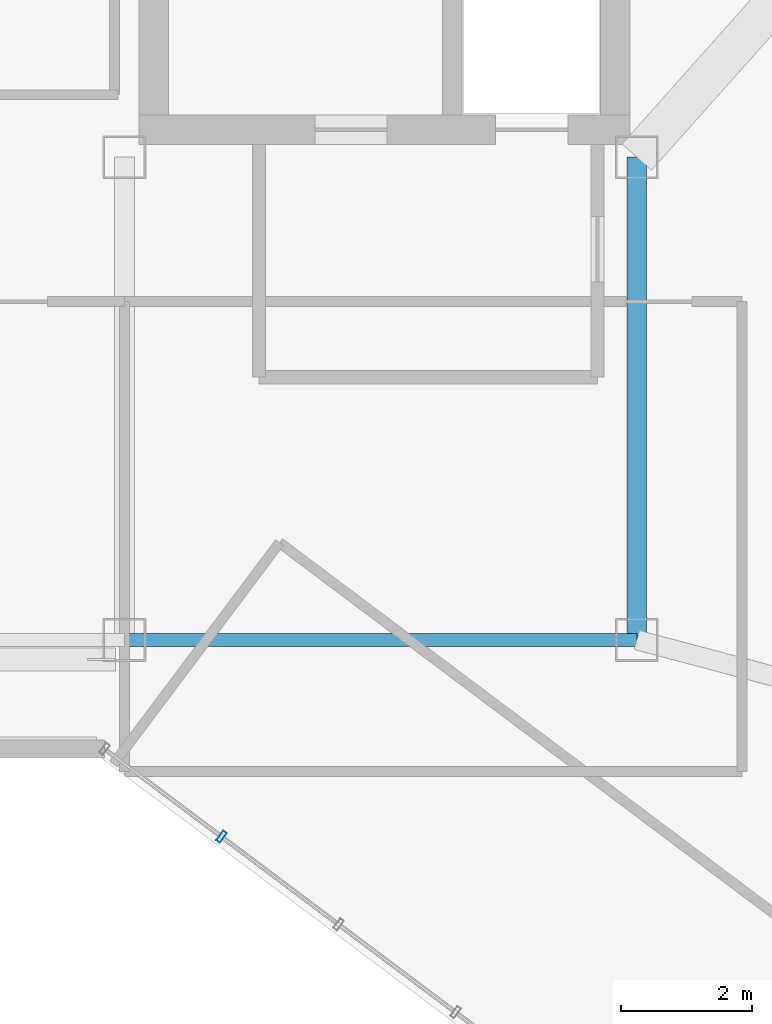
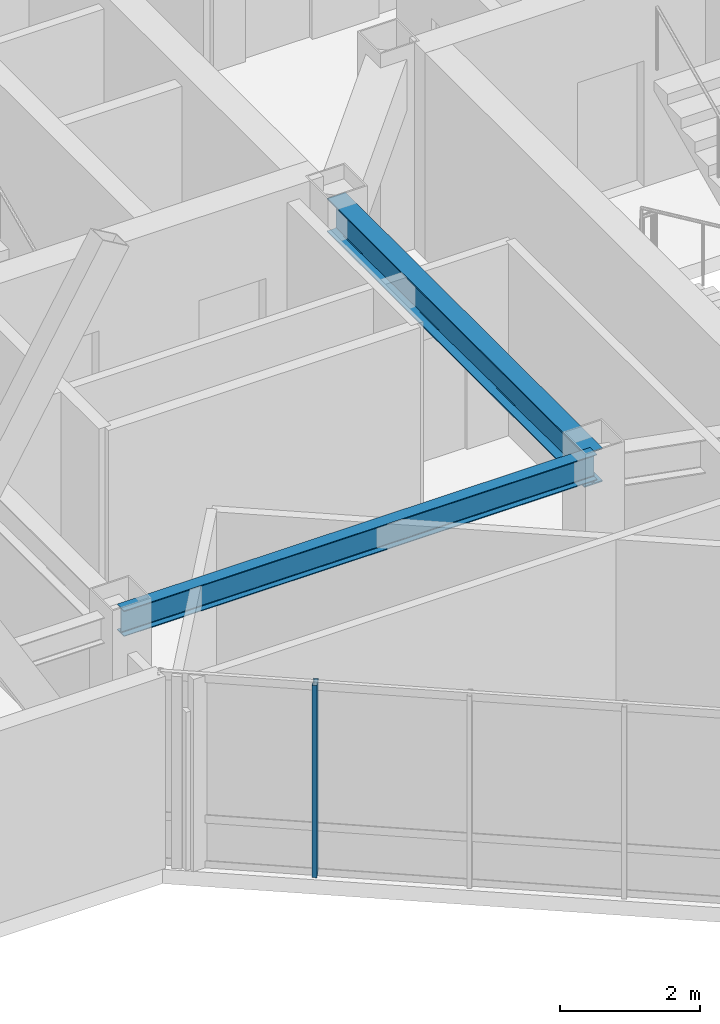
# One storey, part 4 of 22: 2 beams, 1 member, 1 element without a shape of its own.
"""IFC4 building model written with IfcOpenShell, lengths in metres."""

from ifc_helpers import new_model, si_unit, direction, frame, origin, origin_2d, place, context, subcontext, project, spatial, hollow_rectangle, i_section, extrude, material, layer, layer_set, material_profile, profile_set, type_object, element, aggregate, save


model = new_model("IFC4")

# Units and contexts
model_context = context("Model", 3, precision=1e-05, world=origin(), true_north=direction((0.0, 1.0)))
body_context = subcontext(model_context, "Body", "Model", "MODEL_VIEW")
ifc_project = project(units=[si_unit("LENGTHUNIT", "METRE"), si_unit("AREAUNIT", "SQUARE_METRE"), si_unit("VOLUMEUNIT", "CUBIC_METRE"), si_unit("PLANEANGLEUNIT", "RADIAN"), si_unit("MASSUNIT", "GRAM", prefix="KILO")], contexts=[model_context])

# Site, building, storey
site_placement = place(None, origin())
site = spatial("IfcSite", under=ifc_project, at=site_placement, CompositionType="ELEMENT")
building_placement = place(site_placement, origin())
building = spatial("IfcBuilding", under=site, at=building_placement, Name="Hatsunagi Terrace Concourse", CompositionType="ELEMENT")
storey_placement = place(building_placement, frame((0.0, 0.0, 239.550048828125)))
storey = spatial("IfcBuildingStorey", under=building, at=storey_placement, Name="L63", CompositionType="ELEMENT", Elevation=239.550048828125)

# Curtain wall, member
ifc_material_1 = material(Name="Anodised Aluminium Alloy 6063-T5", Category="aluminium")
ifc_layer = layer(ifc_material_1, 0.199951171875)
ifc_layer_set = layer_set([ifc_layer], Name="OfficeZone2_CW04")
curtain_wall_type = type_object("IfcCurtainWallType", Name="OfficeZone2_CW04", PredefinedType="NOTDEFINED", material=ifc_layer_set)
curtain_wall_placement = place(storey_placement, origin())
curtain_wall = element("IfcCurtainWall", 1, at=curtain_wall_placement, inside=storey, type_object=curtain_wall_type, Name="Unitised Curtain Wall CW-04 CW-L63-05", PredefinedType="NOTDEFINED")
ifc_material_2 = material(Name="Anodised Aluminium Alloy 6063-T5", Category="aluminium")
ifc_material_profile_1 = material_profile(ifc_material_2, hollow_rectangle(XDim=0.070068359375, YDim=0.179931640625, WallThickness=0.00390625, at=origin_2d()), Name="ALU-MUL-180x70x4")
ifc_profile_set_1 = profile_set([ifc_material_profile_1], Name="Anodised Aluminium Alloy 6063-T5")
member_type = type_object("IfcMemberType", Name="CurtainWallMullion_180x70", PredefinedType="MULLION", material=ifc_profile_set_1)
member_placement = place(storey_placement, frame((27.029052734375, 22.2041015625, 0.0), z_axis=(0.0, 0.0, 1.0), x_axis=(-0.800007305671, 0.599990258982, 0.0)))
member = element("IfcMember", 2, at=member_placement, type_object=member_type, Name="Curtain Wall Mullion MUL-02", PredefinedType="MULLION", context=body_context, shape_type="SweptSolid", body=[
    extrude(hollow_rectangle(XDim=0.070068359375, YDim=0.179931640625, WallThickness=0.00390625, at=origin_2d()), origin(), (0.0, 0.0, 1.0), 3.349853515625),
])
aggregate(curtain_wall, [member])

# Beams
ifc_material_3 = material(Name="Steel SN490B", Category="steel")
ifc_material_profile_2 = material_profile(ifc_material_3, i_section(OverallWidth=0.300048828125, OverallDepth=0.587890625, WebThickness=0.011962890625, FlangeThickness=0.02001953125, FilletRadius=0.01806640625, at=origin_2d()), Name="H-588x300x12x20")
ifc_profile_set_2 = profile_set([ifc_material_profile_2], Name="Steel SN490B")
beam_type_1 = type_object("IfcBeamType", Name="OfficeHighGirder_H_588x300", PredefinedType="BEAM", material=ifc_profile_set_2)
beam_1_placement = place(storey_placement, frame((33.35009765625, 25.199951171875, 3.055908203125), z_axis=(0.0, 1.0, 0.0), x_axis=(-1.0, 0.0, 0.0)))
element("IfcBeam", 3, at=beam_1_placement, inside=storey, type_object=beam_type_1, Name="Beam G-06 BM-L63-K2CA", PredefinedType="BEAM", context=body_context, shape_type="SweptSolid", body=[
    extrude(i_section(OverallWidth=0.300048828125, OverallDepth=0.587890625, WebThickness=0.011962890625, FlangeThickness=0.02001953125, FilletRadius=0.01806640625, at=origin_2d()), origin(), (0.0, 0.0, 1.0), 7.35009765625),
])
ifc_material_4 = material(Name="Steel SN490B", Category="steel")
ifc_material_profile_3 = material_profile(ifc_material_4, i_section(OverallWidth=0.199951171875, OverallDepth=0.449951171875, WebThickness=0.009033203125, FlangeThickness=0.013916015625, FilletRadius=0.01611328125, at=origin_2d()), Name="H-450x200x9x14")
ifc_profile_set_3 = profile_set([ifc_material_profile_3], Name="Steel SN490B")
beam_type_2 = type_object("IfcBeamType", Name="PerimeterSpandrel_H_450x200", PredefinedType="SPANDREL", material=ifc_profile_set_3)
beam_2_placement = place(storey_placement, frame((25.550048828125, 25.199951171875, 3.125), z_axis=(1.0, 0.0, 0.0), x_axis=(0.0, 1.0, 0.0)))
element("IfcBeam", 4, at=beam_2_placement, inside=storey, type_object=beam_type_2, Name="Beam SP-02 BM-L63-WS-25", PredefinedType="SPANDREL", context=body_context, shape_type="SweptSolid", body=[
    extrude(i_section(OverallWidth=0.199951171875, OverallDepth=0.449951171875, WebThickness=0.009033203125, FlangeThickness=0.013916015625, FilletRadius=0.01611328125, at=origin_2d()), origin(), (0.0, 0.0, 1.0), 7.800048828125),
])

save(model, "model.ifc")
